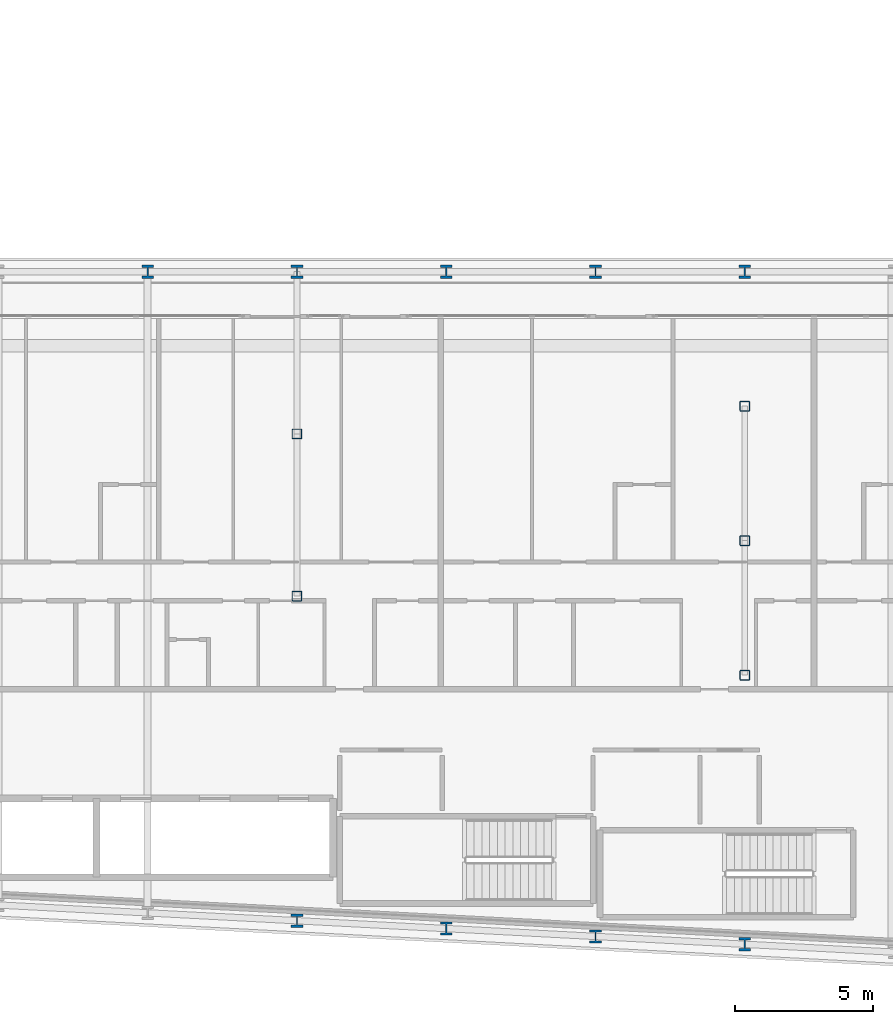
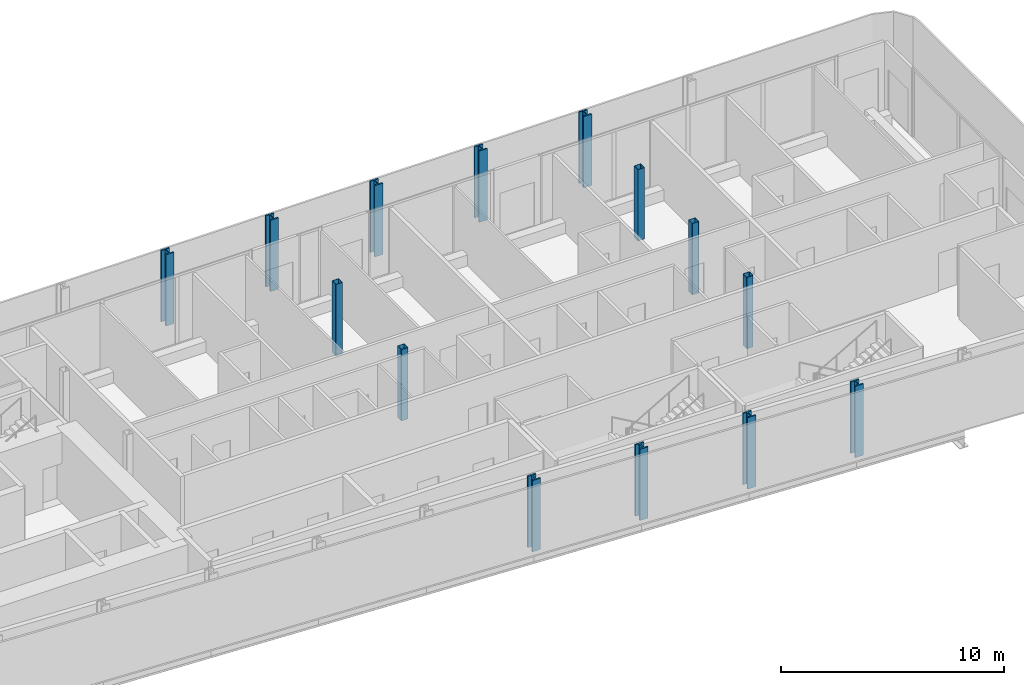
# One storey, part 2 of 29: 14 columns.
"""IFC4 building model written with IfcOpenShell, lengths in metres."""

from ifc_helpers import new_model, si_unit, direction, frame, origin, origin_2d, place, context, subcontext, project, spatial, hollow_rectangle, i_section, extrude, material, material_profile, profile_set, type_object, element, save


model = new_model("IFC4")

# Units and contexts
model_context = context("Model", 3, precision=1e-05, world=origin(), true_north=direction((0.0, 1.0)))
body_context = subcontext(model_context, "Body", "Model", "MODEL_VIEW")
ifc_project = project(units=[si_unit("LENGTHUNIT", "METRE"), si_unit("AREAUNIT", "SQUARE_METRE"), si_unit("VOLUMEUNIT", "CUBIC_METRE"), si_unit("PLANEANGLEUNIT", "RADIAN"), si_unit("MASSUNIT", "GRAM", prefix="KILO")], contexts=[model_context])

# Site, building, storey
site_placement = place(None, origin())
site = spatial("IfcSite", under=ifc_project, at=site_placement, CompositionType="ELEMENT")
building_placement = place(site_placement, origin())
building = spatial("IfcBuilding", under=site, at=building_placement, Name="Kheshtan School and Residences Tower", CompositionType="ELEMENT")
storey_placement = place(building_placement, frame((0.0, 0.0, 61.699951171875)))
storey = spatial("IfcBuildingStorey", under=building, at=storey_placement, Name="L14", CompositionType="ELEMENT", Elevation=61.699951171875)

# Columns
ifc_material_1 = material(Name="Steel ASTM A992 Grade 50", Category="steel")
ifc_material_profile_1 = material_profile(ifc_material_1, i_section(OverallWidth=0.424072265625, OverallDepth=0.47412109375, WebThickness=0.047607421875, FlangeThickness=0.0771484375, FilletRadius=0.01416015625, at=origin_2d()), Name="W360x634")
ifc_profile_set_1 = profile_set([ifc_material_profile_1], Name="Steel ASTM A992 Grade 50")
column_type_1 = type_object("IfcColumnType", Name="Column C1 W360x634 ASTM A992 Grade 50", PredefinedType="COLUMN", material=ifc_profile_set_1)
for number, where, z_axis, x_axis, name in (
    (1, (85.39990234375, 21.27392578125, 0.0), (0.0, 0.0, 1.0), (1.0, 0.0, 0.0), "Column C008"),
    (2, (80.0, 21.55810546875, 0.0), (0.0, 0.0, 1.0), (1.0, 0.0, 0.0), "Column C012"),
    (3, (74.60009765625, 21.843017578125, 0.0), (0.0, 0.0, 1.0), (1.0, 0.0, 0.0), "Column C013"),
    (4, (69.199951171875, 22.126953125, 0.0), (0.0, 0.0, 1.0), (1.0, 0.0, 0.0), "Column C014"),
    (5, (63.800048828125, 45.60009765625, 0.0), (0.0, 0.0, 1.0), (1.0, 0.0, 0.0), "Column C063"),
    (6, (69.199951171875, 45.60009765625, 0.0), (0.0, 0.0, 1.0), (1.0, 0.0, 0.0), "Column C064"),
    (7, (74.60009765625, 45.60009765625, 0.0), (0.0, 0.0, 1.0), (1.0, 0.0, 0.0), "Column C065"),
    (8, (80.0, 45.60009765625, 0.0), (0.0, 0.0, 1.0), (1.0, 0.0, 0.0), "Column C066"),
    (9, (85.39990234375, 45.60009765625, 0.0), (0.0, 0.0, 1.0), (1.0, 0.0, 0.0), "Column C067"),
):
    element("IfcColumn", number, at=place(storey_placement, frame(where, z_axis=z_axis, x_axis=x_axis)), inside=storey, type_object=column_type_1, Name=name, PredefinedType="COLUMN", context=body_context, shape_type="SweptSolid", body=[
        extrude(i_section(OverallWidth=0.424072265625, OverallDepth=0.47412109375, WebThickness=0.047607421875, FlangeThickness=0.0771484375, FilletRadius=0.01416015625, at=origin_2d()), origin(), (0.0, 0.0, 1.0), 3.900146484375),
    ])
ifc_material_2 = material(Name="Steel ASTM A500 Grade C", Category="steel")
ifc_material_profile_2 = material_profile(ifc_material_2, hollow_rectangle(XDim=0.35595703125, YDim=0.35595703125, WallThickness=0.015869140625, InnerFilletRadius=0.015869140625, OuterFilletRadius=0.03173828125, at=origin_2d()), Name="HSS 356x356x15.9")
ifc_profile_set_2 = profile_set([ifc_material_profile_2], Name="Steel ASTM A500 Grade C")
column_type_2 = type_object("IfcColumnType", Name="Column IC1 HSS 356x356x15.9 ASTM A500 Grade C", PredefinedType="COLUMN", material=ifc_profile_set_2)
for number, where, z_axis, x_axis, name in (
    (10, (85.39990234375, 31.0048828125, 0.0), (0.0, 0.0, 1.0), (1.0, 0.0, 0.0), "Column C049"),
    (11, (69.199951171875, 33.863037109375, 0.0), (0.0, 0.0, 1.0), (1.0, 0.0, 0.0), "Column C050"),
    (12, (85.39990234375, 35.8701171875, 0.0), (0.0, 0.0, 1.0), (1.0, 0.0, 0.0), "Column C053"),
    (13, (69.199951171875, 39.73193359375, 0.0), (0.0, 0.0, 1.0), (1.0, 0.0, 0.0), "Column C054"),
    (14, (85.39990234375, 40.735107421875, 0.0), (0.0, 0.0, 1.0), (1.0, 0.0, 0.0), "Column C057"),
):
    element("IfcColumn", number, at=place(storey_placement, frame(where, z_axis=z_axis, x_axis=x_axis)), inside=storey, type_object=column_type_2, Name=name, PredefinedType="COLUMN", context=body_context, shape_type="SweptSolid", body=[
        extrude(hollow_rectangle(XDim=0.35595703125, YDim=0.35595703125, WallThickness=0.015869140625, InnerFilletRadius=0.015869140625, OuterFilletRadius=0.03173828125, at=origin_2d()), origin(), (0.0, 0.0, 1.0), 3.900146484375),
    ])

save(model, "model.ifc")
